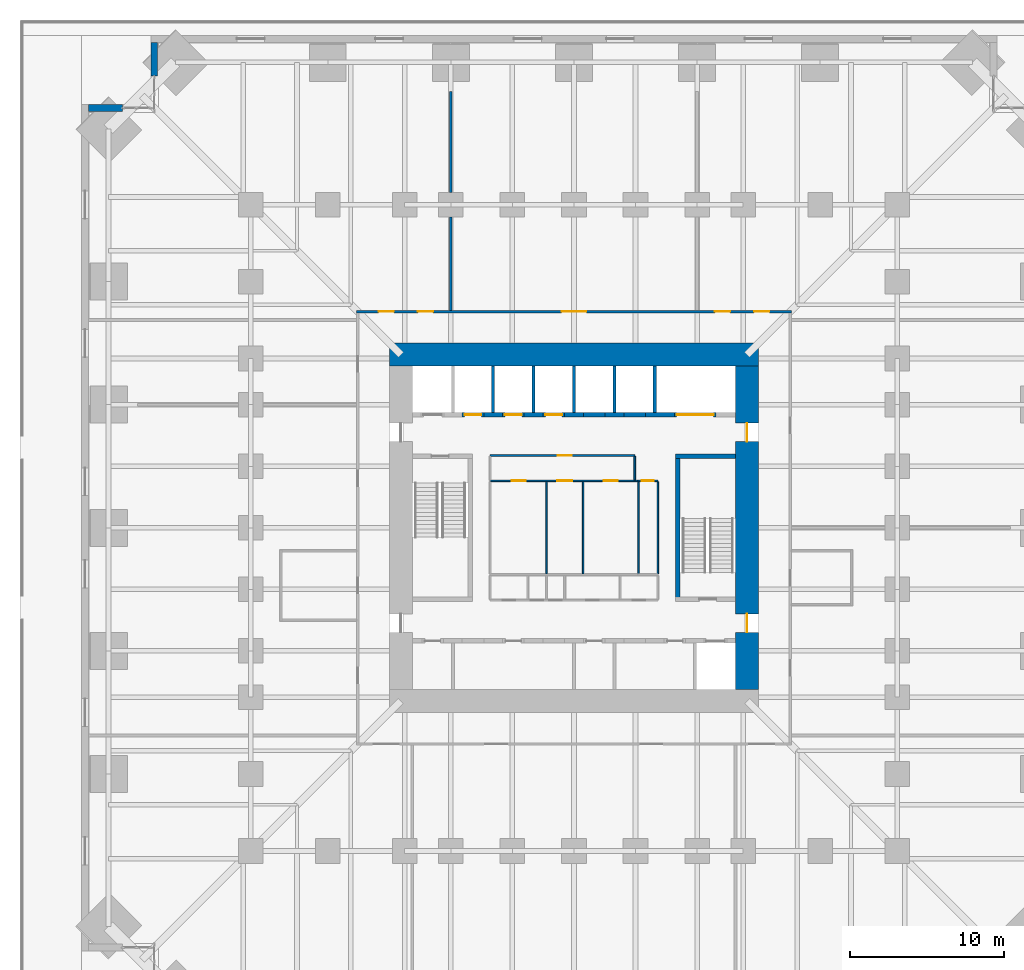
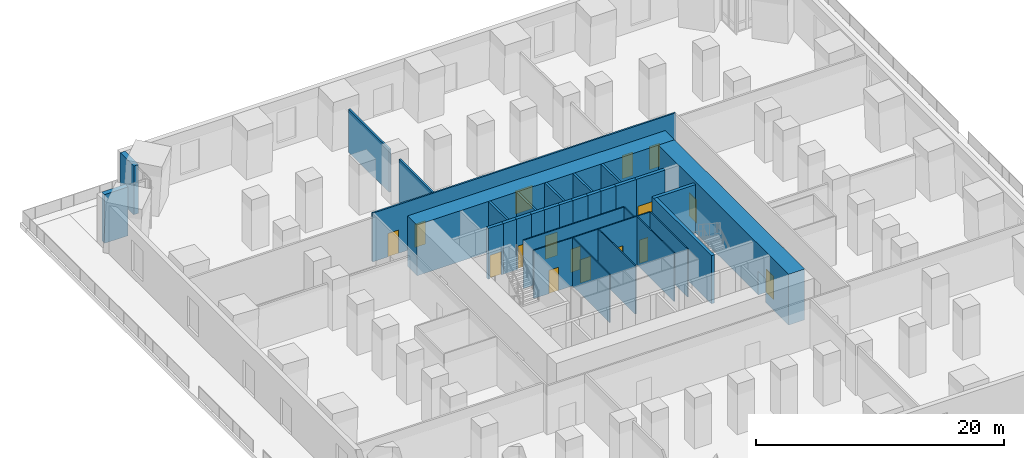
# One storey, part 22 of 26: 33 walls, 16 doors, 16 openings.
"""IFC4 building model written with IfcOpenShell, lengths in metres."""

from ifc_helpers import new_model, si_unit, direction, frame, frame_2d, origin, place, context, subcontext, project, spatial, rectangle, extrude, material, layer, layer_set, type_object, element, fill, save


model = new_model("IFC4")

# Units and contexts
model_context = context("Model", 3, precision=1e-05, world=origin(), true_north=direction((0.0, 1.0)))
body_context = subcontext(model_context, "Body", "Model", "MODEL_VIEW")
ifc_project = project(units=[si_unit("LENGTHUNIT", "METRE"), si_unit("AREAUNIT", "SQUARE_METRE"), si_unit("VOLUMEUNIT", "CUBIC_METRE"), si_unit("PLANEANGLEUNIT", "RADIAN"), si_unit("MASSUNIT", "GRAM", prefix="KILO")], contexts=[model_context])

# Site, building, storey
site_placement = place(None, origin())
site = spatial("IfcSite", under=ifc_project, at=site_placement, CompositionType="ELEMENT")
building_placement = place(site_placement, origin())
building = spatial("IfcBuilding", under=site, at=building_placement, Name="Peilmerk Tower", CompositionType="ELEMENT")
storey_placement = place(building_placement, frame((0.0, 0.0, 16.0)))
storey = spatial("IfcBuildingStorey", under=building, at=storey_placement, Name="L03", CompositionType="ELEMENT", Elevation=16.0)

# Walls
ifc_material_1 = material(Name="Precast concrete C45/55, board-marked finish", Category="concrete")
ifc_layer_1 = layer(ifc_material_1, 0.449951171875)
ifc_layer_set_1 = layer_set([ifc_layer_1], Name="Precast concrete C45/55, board-marked finish")
wall_type_1 = type_object("IfcWallType", Name="EW1 450 precast concrete facade wall, board-marked", PredefinedType="SOLIDWALL", material=ifc_layer_set_1)
for number, where, z_axis, x_axis, name in (
    (1, (-27.27490234375, 29.353759765625, 0.0), (0.0, 0.0, 1.0), (0.0, 1.0, 0.0), "Facade wall NWA L03"),
    (2, (-29.353759765625, 27.27490234375, 0.0), (0.0, 0.0, 1.0), (-1.0, 0.0, 0.0), "Facade wall NWB L03"),
):
    element("IfcWall", number, at=place(storey_placement, frame(where, z_axis=z_axis, x_axis=x_axis)), inside=storey, type_object=wall_type_1, Name=name, PredefinedType="SOLIDWALL", context=body_context, shape_type="SweptSolid", body=[
        extrude(rectangle(XDim=2.1962890625, YDim=0.449951171875, at=frame_2d((1.09814453125, 0.0))), origin(), (0.0, 0.0, 1.0), 4.800048828125),
    ])

# Wall, openings, doors
ifc_material_2 = material(Name="Calcium silicate block", Category="masonry")
ifc_layer_2 = layer(ifc_material_2, 0.14990234375)
ifc_layer_set_2 = layer_set([ifc_layer_2], Name="Calcium silicate block")
wall_type_2 = type_object("IfcWallType", Name="IW1 150 corridor partition, EI 60", PredefinedType="PARTITIONING", material=ifc_layer_set_2)
wall_1_placement = place(storey_placement, frame((-14.125, 14.050048828125, 0.0), z_axis=(0.0, 0.0, 1.0), x_axis=(1.0, 0.0, 0.0)))
wall_1 = element("IfcWall", 3, at=wall_1_placement, inside=storey, type_object=wall_type_2, Name="Corridor wall N L03", PredefinedType="PARTITIONING", context=body_context, shape_type="SweptSolid", body=[
    extrude(rectangle(XDim=28.25, YDim=0.14990234375, at=frame_2d((14.125, 0.0))), origin(), (0.0, 0.0, 1.0), 4.800048828125),
])
opening_1_placement = place(wall_1_placement, frame((1.425048828125, 0.0, 0.0)))
opening_1 = element("IfcOpeningElement", 4, at=opening_1_placement, cuts=wall_1, Name="Opening D1", PredefinedType="OPENING", context=body_context, shape_type="SweptSolid", body=[
    extrude(rectangle(XDim=1.0, YDim=2.300048828125, at=frame_2d((0.5, 1.14990234375))), frame((0.0, 0.0849609375, 0.0), z_axis=(0.0, -1.0, 0.0), x_axis=(1.0, 0.0, 0.0)), (0.0, 0.0, 1.0), 0.169921875),
])
opening_2_placement = place(wall_1_placement, frame((3.97509765625, 0.0, 0.0)))
opening_2 = element("IfcOpeningElement", 5, at=opening_2_placement, cuts=wall_1, Name="Opening D1", PredefinedType="OPENING", context=body_context, shape_type="SweptSolid", body=[
    extrude(rectangle(XDim=1.0, YDim=2.300048828125, at=frame_2d((0.5, 1.14990234375))), frame((0.0, 0.0849609375, 0.0), z_axis=(0.0, -1.0, 0.0), x_axis=(1.0, 0.0, 0.0)), (0.0, 0.0, 1.0), 0.169921875),
])
opening_3_placement = place(wall_1_placement, frame((13.324951171875, 0.0, 0.0)))
opening_3 = element("IfcOpeningElement", 6, at=opening_3_placement, cuts=wall_1, Name="Opening D9", PredefinedType="OPENING", context=body_context, shape_type="SweptSolid", body=[
    extrude(rectangle(XDim=1.60009765625, YDim=2.300048828125, at=frame_2d((0.800048828125, 1.14990234375))), frame((0.0, 0.0849609375, 0.0), z_axis=(0.0, -1.0, 0.0), x_axis=(1.0, 0.0, 0.0)), (0.0, 0.0, 1.0), 0.169921875),
])
opening_4_placement = place(wall_1_placement, frame((23.27490234375, 0.0, 0.0)))
opening_4 = element("IfcOpeningElement", 7, at=opening_4_placement, cuts=wall_1, Name="Opening D1", PredefinedType="OPENING", context=body_context, shape_type="SweptSolid", body=[
    extrude(rectangle(XDim=1.0, YDim=2.300048828125, at=frame_2d((0.5, 1.14990234375))), frame((0.0, 0.0849609375, 0.0), z_axis=(0.0, -1.0, 0.0), x_axis=(1.0, 0.0, 0.0)), (0.0, 0.0, 1.0), 0.169921875),
])
opening_5_placement = place(wall_1_placement, frame((25.824951171875, 0.0, 0.0)))
opening_5 = element("IfcOpeningElement", 8, at=opening_5_placement, cuts=wall_1, Name="Opening D1", PredefinedType="OPENING", context=body_context, shape_type="SweptSolid", body=[
    extrude(rectangle(XDim=1.0, YDim=2.300048828125, at=frame_2d((0.5, 1.14990234375))), frame((0.0, 0.0849609375, 0.0), z_axis=(0.0, -1.0, 0.0), x_axis=(1.0, 0.0, 0.0)), (0.0, 0.0, 1.0), 0.169921875),
])
ifc_material_3 = material(Name="Timber door in steel frame", Category="steel")
door_type_1 = type_object("IfcDoorType", Name="D1 1000x2300 room door, EI2 30", OperationType="SINGLE_SWING_LEFT", PredefinedType="DOOR", material=ifc_material_3)
door_1_placement = place(opening_1_placement, origin())
door_1 = element("IfcDoor", 9, at=door_1_placement, inside=storey, type_object=door_type_1, Name="Door Office L03", OperationType="SINGLE_SWING_LEFT", OverallHeight=2.300048828125, OverallWidth=1.0, PredefinedType="DOOR", context=body_context, shape_type="SweptSolid", body=[
    extrude(rectangle(XDim=1.0, YDim=2.300048828125, at=frame_2d((0.5, 1.14990234375))), frame((0.0, 0.02490234375, 0.0), z_axis=(0.0, -1.0, 0.0), x_axis=(1.0, 0.0, 0.0)), (0.0, 0.0, 1.0), 0.050048828125),
])
fill(opening_1, door_1)
door_2_placement = place(opening_2_placement, origin())
door_2 = element("IfcDoor", 10, at=door_2_placement, inside=storey, type_object=door_type_1, Name="Door Office L03", OperationType="SINGLE_SWING_LEFT", OverallHeight=2.300048828125, OverallWidth=1.0, PredefinedType="DOOR", context=body_context, shape_type="SweptSolid", body=[
    extrude(rectangle(XDim=1.0, YDim=2.300048828125, at=frame_2d((0.5, 1.14990234375))), frame((0.0, 0.02490234375, 0.0), z_axis=(0.0, -1.0, 0.0), x_axis=(1.0, 0.0, 0.0)), (0.0, 0.0, 1.0), 0.050048828125),
])
fill(opening_2, door_2)
door_3_placement = place(opening_4_placement, origin())
door_3 = element("IfcDoor", 11, at=door_3_placement, inside=storey, type_object=door_type_1, Name="Door Office L03", OperationType="SINGLE_SWING_LEFT", OverallHeight=2.300048828125, OverallWidth=1.0, PredefinedType="DOOR", context=body_context, shape_type="SweptSolid", body=[
    extrude(rectangle(XDim=1.0, YDim=2.300048828125, at=frame_2d((0.5, 1.14990234375))), frame((0.0, 0.02490234375, 0.0), z_axis=(0.0, -1.0, 0.0), x_axis=(1.0, 0.0, 0.0)), (0.0, 0.0, 1.0), 0.050048828125),
])
fill(opening_4, door_3)
door_4_placement = place(opening_5_placement, origin())
door_4 = element("IfcDoor", 12, at=door_4_placement, inside=storey, type_object=door_type_1, Name="Door Office L03", OperationType="SINGLE_SWING_LEFT", OverallHeight=2.300048828125, OverallWidth=1.0, PredefinedType="DOOR", context=body_context, shape_type="SweptSolid", body=[
    extrude(rectangle(XDim=1.0, YDim=2.300048828125, at=frame_2d((0.5, 1.14990234375))), frame((0.0, 0.02490234375, 0.0), z_axis=(0.0, -1.0, 0.0), x_axis=(1.0, 0.0, 0.0)), (0.0, 0.0, 1.0), 0.050048828125),
])
fill(opening_5, door_4)
ifc_material_4 = material(Name="Glazed timber door in steel frame", Category="steel")
door_type_2 = type_object("IfcDoorType", Name="D9 1600x2300 glazed double door, EI2 30", OperationType="DOUBLE_DOOR_SINGLE_SWING", PredefinedType="DOOR", material=ifc_material_4)
door_5_placement = place(opening_3_placement, origin())
door_5 = element("IfcDoor", 13, at=door_5_placement, inside=storey, type_object=door_type_2, Name="Door Open workspace L03", OperationType="DOUBLE_DOOR_SINGLE_SWING", OverallHeight=2.300048828125, OverallWidth=1.60009765625, PredefinedType="DOOR", context=body_context, shape_type="SweptSolid", body=[
    extrude(rectangle(XDim=1.60009765625, YDim=2.300048828125, at=frame_2d((0.800048828125, 1.14990234375))), frame((0.0, 0.02490234375, 0.0), z_axis=(0.0, -1.0, 0.0), x_axis=(1.0, 0.0, 0.0)), (0.0, 0.0, 1.0), 0.050048828125),
])
fill(opening_3, door_5)

# Walls
ifc_material_5 = material(Name="Concrete C35/45", Category="concrete")
ifc_layer_3 = layer(ifc_material_5, 0.300048828125)
ifc_layer_set_3 = layer_set([ifc_layer_3], Name="Concrete C35/45")
wall_type_3 = type_object("IfcWallType", Name="IW3 300 concrete stair enclosure wall, EI 120", PredefinedType="SOLIDWALL", material=ifc_layer_set_3)
wall_2_placement = place(storey_placement, frame((6.75, -4.800048828125, 0.0), z_axis=(0.0, 0.0, 1.0), x_axis=(0.0, 1.0, 0.0)))
element("IfcWall", 14, at=wall_2_placement, inside=storey, type_object=wall_type_3, Name="Stair 2 enclosure L03", PredefinedType="SOLIDWALL", context=body_context, shape_type="SweptSolid", body=[
    extrude(rectangle(XDim=9.60009765625, YDim=0.300048828125, at=frame_2d((4.800048828125, 0.0))), origin(), (0.0, 0.0, 1.0), 4.75),
])
wall_3_placement = place(storey_placement, frame((6.60009765625, 4.64990234375, 0.0), z_axis=(0.0, 0.0, 1.0), x_axis=(1.0, 0.0, 0.0)))
element("IfcWall", 15, at=wall_3_placement, inside=storey, type_object=wall_type_3, Name="Stair 2 enclosure L03", PredefinedType="SOLIDWALL", context=body_context, shape_type="SweptSolid", body=[
    extrude(rectangle(XDim=3.89990234375, YDim=0.300048828125, at=frame_2d((1.949951171875, 0.0))), origin(), (0.0, 0.0, 1.0), 4.75),
])

# Wall, openings, doors
ifc_material_6 = material(Name="Plasterboard on steel studs", Category="steel")
ifc_layer_4 = layer(ifc_material_6, 0.10009765625)
ifc_layer_set_4 = layer_set([ifc_layer_4], Name="Plasterboard on steel studs")
wall_type_4 = type_object("IfcWallType", Name="IW4 100 WC partition", PredefinedType="PARTITIONING", material=ifc_layer_set_4)
wall_4_placement = place(storey_placement, frame((-5.449951171875, 3.050048828125, 0.0), z_axis=(0.0, 0.0, 1.0), x_axis=(1.0, 0.0, 0.0)))
wall_4 = element("IfcWall", 16, at=wall_4_placement, inside=storey, type_object=wall_type_4, Name="WC wall L03", PredefinedType="PARTITIONING", context=body_context, shape_type="SweptSolid", body=[
    extrude(rectangle(XDim=9.599853515625, YDim=0.10009765625, at=frame_2d((4.7998046875, 0.0))), origin(), (0.0, 0.0, 1.0), 4.75),
])
opening_6_placement = place(wall_4_placement, frame((1.39990234375, 0.0, 0.0)))
opening_6 = element("IfcOpeningElement", 17, at=opening_6_placement, cuts=wall_4, Name="Opening D5", PredefinedType="OPENING", context=body_context, shape_type="SweptSolid", body=[
    extrude(rectangle(XDim=0.89990234375, YDim=2.300048828125, at=frame_2d((0.449951171875, 1.14990234375))), frame((0.0, 0.06005859375, 0.0), z_axis=(0.0, -1.0, 0.0), x_axis=(1.0, 0.0, 0.0)), (0.0, 0.0, 1.0), 0.1201171875),
])
opening_7_placement = place(wall_4_placement, frame((4.35009765625, 0.0, 0.0)))
opening_7 = element("IfcOpeningElement", 18, at=opening_7_placement, cuts=wall_4, Name="Opening D6", PredefinedType="OPENING", context=body_context, shape_type="SweptSolid", body=[
    extrude(rectangle(XDim=1.0, YDim=2.300048828125, at=frame_2d((0.5, 1.14990234375))), frame((0.0, 0.06005859375, 0.0), z_axis=(0.0, -1.0, 0.0), x_axis=(1.0, 0.0, 0.0)), (0.0, 0.0, 1.0), 0.1201171875),
])
opening_8_placement = place(wall_4_placement, frame((7.39990234375, 0.0, 0.0)))
opening_8 = element("IfcOpeningElement", 19, at=opening_8_placement, cuts=wall_4, Name="Opening D5", PredefinedType="OPENING", context=body_context, shape_type="SweptSolid", body=[
    extrude(rectangle(XDim=0.89990234375, YDim=2.300048828125, at=frame_2d((0.449951171875, 1.14990234375))), frame((0.0, 0.06005859375, 0.0), z_axis=(0.0, -1.0, 0.0), x_axis=(1.0, 0.0, 0.0)), (0.0, 0.0, 1.0), 0.1201171875),
])
door_type_3 = type_object("IfcDoorType", Name="D5 900x2300 WC door", OperationType="SINGLE_SWING_LEFT", PredefinedType="DOOR", material=ifc_material_3)
door_6_placement = place(opening_6_placement, frame((0.89990234375, 0.0, 0.0), z_axis=(0.0, 0.0, 1.0), x_axis=(-1.0, 0.0, 0.0)))
door_6 = element("IfcDoor", 20, at=door_6_placement, inside=storey, type_object=door_type_3, Name="Female toilets door L03", OperationType="SINGLE_SWING_LEFT", OverallHeight=2.300048828125, OverallWidth=0.89990234375, PredefinedType="DOOR", context=body_context, shape_type="SweptSolid", body=[
    extrude(rectangle(XDim=0.89990234375, YDim=2.300048828125, at=frame_2d((0.449951171875, 1.14990234375))), frame((0.0, 0.02490234375, 0.0), z_axis=(0.0, -1.0, 0.0), x_axis=(1.0, 0.0, 0.0)), (0.0, 0.0, 1.0), 0.050048828125),
])
fill(opening_6, door_6)
door_7_placement = place(opening_8_placement, frame((0.89990234375, 0.0, 0.0), z_axis=(0.0, 0.0, 1.0), x_axis=(-1.0, 0.0, 0.0)))
door_7 = element("IfcDoor", 21, at=door_7_placement, inside=storey, type_object=door_type_3, Name="Male toilets door L03", OperationType="SINGLE_SWING_LEFT", OverallHeight=2.300048828125, OverallWidth=0.89990234375, PredefinedType="DOOR", context=body_context, shape_type="SweptSolid", body=[
    extrude(rectangle(XDim=0.89990234375, YDim=2.300048828125, at=frame_2d((0.449951171875, 1.14990234375))), frame((0.0, 0.02490234375, 0.0), z_axis=(0.0, -1.0, 0.0), x_axis=(1.0, 0.0, 0.0)), (0.0, 0.0, 1.0), 0.050048828125),
])
fill(opening_8, door_7)
door_type_4 = type_object("IfcDoorType", Name="D6 1000x2300 accessible WC door", OperationType="SLIDING_TO_LEFT", PredefinedType="DOOR", material=ifc_material_3)
door_8_placement = place(opening_7_placement, frame((1.0, 0.0, 0.0), z_axis=(0.0, 0.0, 1.0), x_axis=(-1.0, 0.0, 0.0)))
door_8 = element("IfcDoor", 22, at=door_8_placement, inside=storey, type_object=door_type_4, Name="Accessible WC door L03", OperationType="SLIDING_TO_LEFT", OverallHeight=2.300048828125, OverallWidth=1.0, PredefinedType="DOOR", context=body_context, shape_type="SweptSolid", body=[
    extrude(rectangle(XDim=1.0, YDim=2.300048828125, at=frame_2d((0.5, 1.14990234375))), frame((0.0, 0.02490234375, 0.0), z_axis=(0.0, -1.0, 0.0), x_axis=(1.0, 0.0, 0.0)), (0.0, 0.0, 1.0), 0.050048828125),
])
fill(opening_7, door_8)

# Walls
for number, where, z_axis, x_axis, name in (
    (23, (-1.800048828125, -3.0, 0.0), (0.0, 0.0, 1.0), (0.0, 1.0, 0.0), "WC wall L03"),
    (24, (0.60009765625, -3.0, 0.0), (0.0, 0.0, 1.0), (0.0, 1.0, 0.0), "WC wall L03"),
):
    element("IfcWall", number, at=place(storey_placement, frame(where, z_axis=z_axis, x_axis=x_axis)), inside=storey, type_object=wall_type_4, Name=name, PredefinedType="PARTITIONING", context=body_context, shape_type="SweptSolid", body=[
        extrude(rectangle(XDim=6.0, YDim=0.10009765625, at=frame_2d((3.0, 0.0))), origin(), (0.0, 0.0, 1.0), 4.75),
    ])

# Wall, opening, door
ifc_material_7 = material(Name="Calcium silicate board on steel studs", Category="steel")
ifc_layer_5 = layer(ifc_material_7, 0.10009765625)
ifc_layer_set_5 = layer_set([ifc_layer_5], Name="Calcium silicate board on steel studs")
wall_type_5 = type_object("IfcWallType", Name="IW5 100 riser enclosure wall, EI 60", PredefinedType="PARTITIONING", material=ifc_layer_set_5)
wall_5_placement = place(storey_placement, frame((4.14990234375, 3.050048828125, 0.0), z_axis=(0.0, 0.0, 1.0), x_axis=(1.0, 0.0, 0.0)))
wall_5 = element("IfcWall", 25, at=wall_5_placement, inside=storey, type_object=wall_type_5, Name="Riser wall L03", PredefinedType="PARTITIONING", context=body_context, shape_type="SweptSolid", body=[
    extrude(rectangle(XDim=1.300048828125, YDim=0.10009765625, at=frame_2d((0.64990234375, 0.0))), origin(), (0.0, 0.0, 1.0), 4.75),
])
opening_9_placement = place(wall_5_placement, frame((0.25, 0.0, 0.0)))
opening_9 = element("IfcOpeningElement", 26, at=opening_9_placement, cuts=wall_5, Name="Opening D7", PredefinedType="OPENING", context=body_context, shape_type="SweptSolid", body=[
    extrude(rectangle(XDim=0.800048828125, YDim=2.300048828125, at=frame_2d((0.39990234375, 1.14990234375))), frame((0.0, 0.06005859375, 0.0), z_axis=(0.0, -1.0, 0.0), x_axis=(1.0, 0.0, 0.0)), (0.0, 0.0, 1.0), 0.1201171875),
])
ifc_material_8 = material(Name="Steel door in steel frame", Category="steel")
door_type_5 = type_object("IfcDoorType", Name="D7 800x2300 riser access door, EI2 60", OperationType="SINGLE_SWING_RIGHT", PredefinedType="DOOR", material=ifc_material_8)
door_9_placement = place(opening_9_placement, frame((0.800048828125, 0.0, 0.0), z_axis=(0.0, 0.0, 1.0), x_axis=(-1.0, 0.0, 0.0)))
door_9 = element("IfcDoor", 27, at=door_9_placement, inside=storey, type_object=door_type_5, Name="Plumbing riser door L03", OperationType="SINGLE_SWING_RIGHT", OverallHeight=2.300048828125, OverallWidth=0.800048828125, PredefinedType="DOOR", context=body_context, shape_type="SweptSolid", body=[
    extrude(rectangle(XDim=0.800048828125, YDim=2.300048828125, at=frame_2d((0.39990234375, 1.14990234375))), frame((0.0, 0.02490234375, 0.0), z_axis=(0.0, -1.0, 0.0), x_axis=(1.0, 0.0, 0.0)), (0.0, 0.0, 1.0), 0.050048828125),
])
fill(opening_9, door_9)

# Walls
for number, where, z_axis, x_axis, name in (
    (28, (5.449951171875, 3.0, 0.0), (0.0, 0.0, 1.0), (0.0, -1.0, 0.0), "Riser wall L03"),
    (29, (4.199951171875, -3.0, 0.0), (0.0, 0.0, 1.0), (0.0, 1.0, 0.0), "Riser wall L03"),
):
    element("IfcWall", number, at=place(storey_placement, frame(where, z_axis=z_axis, x_axis=x_axis)), inside=storey, type_object=wall_type_5, Name=name, PredefinedType="PARTITIONING", context=body_context, shape_type="SweptSolid", body=[
        extrude(rectangle(XDim=6.0, YDim=0.10009765625, at=frame_2d((3.0, 0.0))), origin(), (0.0, 0.0, 1.0), 4.75),
    ])
ifc_layer_6 = layer(ifc_material_2, 0.175048828125)
ifc_layer_set_6 = layer_set([ifc_layer_6], Name="Calcium silicate block")
wall_type_6 = type_object("IfcWallType", Name="IW8 175 tenant separating wall, EI 60", PredefinedType="PARTITIONING", material=ifc_layer_set_6)
wall_6_placement = place(storey_placement, frame((-8.0, 14.125, 0.0), z_axis=(0.0, 0.0, 1.0), x_axis=(0.0, 1.0, 0.0)))
element("IfcWall", 30, at=wall_6_placement, inside=storey, type_object=wall_type_6, Name="Tenant separating wall N1 L03", PredefinedType="PARTITIONING", context=body_context, shape_type="SweptSolid", body=[
    extrude(rectangle(XDim=6.074951171875, YDim=0.175048828125, at=frame_2d((3.03759765625, 0.0))), origin(), (0.0, 0.0, 1.0), 4.23095703125),
])
wall_7_placement = place(storey_placement, frame((-8.0, 21.800048828125, 0.0), z_axis=(0.0, 0.0, 1.0), x_axis=(0.0, 1.0, 0.0)))
element("IfcWall", 31, at=wall_7_placement, inside=storey, type_object=wall_type_6, Name="Tenant separating wall N1b L03", PredefinedType="PARTITIONING", context=body_context, shape_type="SweptSolid", body=[
    extrude(rectangle(XDim=6.552978515625, YDim=0.175048828125, at=frame_2d((3.2763671875, 0.0))), origin(), (0.0, 0.0, 1.0), 4.23095703125),
])

# Wall, opening, door
ifc_material_9 = material(Name="Fire-resisting plasterboard on steel studs", Category="steel")
ifc_layer_7 = layer(ifc_material_9, 0.10009765625)
ifc_layer_set_7 = layer_set([ifc_layer_7], Name="Fire-resisting plasterboard on steel studs")
wall_type_7 = type_object("IfcWallType", Name="IW9 100 WC lobby wall, EI 30", PredefinedType="PARTITIONING", material=ifc_layer_set_7)
wall_8_placement = place(storey_placement, frame((-5.449951171875, 4.699951171875, 0.0), z_axis=(0.0, 0.0, 1.0), x_axis=(1.0, 0.0, 0.0)))
wall_8 = element("IfcWall", 32, at=wall_8_placement, inside=storey, type_object=wall_type_7, Name="WC lobby wall L03", PredefinedType="PARTITIONING", context=body_context, shape_type="SweptSolid", body=[
    extrude(rectangle(XDim=9.39990234375, YDim=0.10009765625, at=frame_2d((4.699951171875, 0.0))), origin(), (0.0, 0.0, 1.0), 4.75),
])
opening_10_placement = place(wall_8_placement, frame((4.39990234375, 0.0, 0.0)))
opening_10 = element("IfcOpeningElement", 33, at=opening_10_placement, cuts=wall_8, Name="Opening D11", PredefinedType="OPENING", context=body_context, shape_type="SweptSolid", body=[
    extrude(rectangle(XDim=0.89990234375, YDim=2.300048828125, at=frame_2d((0.449951171875, 1.14990234375))), frame((0.0, 0.06005859375, 0.0), z_axis=(0.0, -1.0, 0.0), x_axis=(1.0, 0.0, 0.0)), (0.0, 0.0, 1.0), 0.1201171875),
])
door_type_6 = type_object("IfcDoorType", Name="D11 900x2300 WC lobby door, EI2 30", OperationType="SINGLE_SWING_LEFT", PredefinedType="DOOR", material=ifc_material_3)
door_10_placement = place(opening_10_placement, frame((0.89990234375, 0.0, 0.0), z_axis=(0.0, 0.0, 1.0), x_axis=(-1.0, 0.0, 0.0)))
door_10 = element("IfcDoor", 34, at=door_10_placement, inside=storey, type_object=door_type_6, Name="WC lobby door L03", OperationType="SINGLE_SWING_LEFT", OverallHeight=2.300048828125, OverallWidth=0.89990234375, PredefinedType="DOOR", context=body_context, shape_type="SweptSolid", body=[
    extrude(rectangle(XDim=0.89990234375, YDim=2.300048828125, at=frame_2d((0.449951171875, 1.14990234375))), frame((0.0, 0.02490234375, 0.0), z_axis=(0.0, -1.0, 0.0), x_axis=(1.0, 0.0, 0.0)), (0.0, 0.0, 1.0), 0.050048828125),
])
fill(opening_10, door_10)

# Walls
wall_9_placement = place(storey_placement, frame((3.949951171875, 3.10009765625, 0.0), z_axis=(0.0, 0.0, 1.0), x_axis=(0.0, 1.0, 0.0)))
element("IfcWall", 35, at=wall_9_placement, inside=storey, type_object=wall_type_7, Name="WC lobby wall L03", PredefinedType="PARTITIONING", context=body_context, shape_type="SweptSolid", body=[
    extrude(rectangle(XDim=1.5498046875, YDim=0.10009765625, at=frame_2d((0.77490234375, 0.0))), origin(), (0.0, 0.0, 1.0), 4.75),
])
ifc_layer_8 = layer(ifc_material_2, 0.199951171875)
ifc_layer_set_8 = layer_set([ifc_layer_8], Name="Calcium silicate block")
wall_type_8 = type_object("IfcWallType", Name="SH1 200 shaft dividing wall, EI 120", PredefinedType="PARTITIONING", material=ifc_layer_set_8)
for number, where, z_axis, x_axis, name in (
    (36, (-5.25, 7.5, 0.0), (0.0, 0.0, 1.0), (0.0, 1.0, 0.0), "Shaft wall N A1 L03"),
    (37, (-2.625, 7.5, 0.0), (0.0, 0.0, 1.0), (0.0, 1.0, 0.0), "Shaft wall N A2 L03"),
    (38, (0.0, 7.5, 0.0), (0.0, 0.0, 1.0), (0.0, 1.0, 0.0), "Shaft wall N A3 L03"),
    (39, (2.625, 7.5, 0.0), (0.0, 0.0, 1.0), (0.0, 1.0, 0.0), "Shaft wall N S1 L03"),
    (40, (5.25, 7.5, 0.0), (0.0, 0.0, 1.0), (0.0, 1.0, 0.0), "Shaft wall N S2 L03"),
):
    element("IfcWall", number, at=place(storey_placement, frame(where, z_axis=z_axis, x_axis=x_axis)), inside=storey, type_object=wall_type_8, Name=name, PredefinedType="PARTITIONING", context=body_context, shape_type="SweptSolid", body=[
        extrude(rectangle(XDim=3.0, YDim=0.199951171875, at=frame_2d((1.5, 0.0))), origin(), (0.0, 0.0, 1.0), 5.0),
    ])

# Wall, opening, door
ifc_layer_9 = layer(ifc_material_2, 0.300048828125)
ifc_layer_set_9 = layer_set([ifc_layer_9], Name="Calcium silicate block")
wall_type_9 = type_object("IfcWallType", Name="SH2 300 lift landing door panel, EI 120", PredefinedType="PARTITIONING", material=ifc_layer_set_9)
wall_10_placement = place(storey_placement, frame((-7.262451171875, 7.35009765625, 0.0), z_axis=(0.0, 0.0, 1.0), x_axis=(1.0, 0.0, 0.0)))
wall_10 = element("IfcWall", 41, at=wall_10_placement, inside=storey, type_object=wall_type_9, Name="Lift door panel N A1 L03", PredefinedType="PARTITIONING", context=body_context, shape_type="SweptSolid", body=[
    extrude(rectangle(XDim=1.39990234375, YDim=0.300048828125, at=frame_2d((0.699951171875, 0.0))), origin(), (0.0, 0.0, 1.0), 5.0),
])
opening_11_placement = place(wall_10_placement, frame((0.14990234375, 0.0, 0.0)))
opening_11 = element("IfcOpeningElement", 42, at=opening_11_placement, cuts=wall_10, Name="Opening LD1", PredefinedType="OPENING", context=body_context, shape_type="SweptSolid", body=[
    extrude(rectangle(XDim=1.10009765625, YDim=2.300048828125, at=frame_2d((0.550048828125, 1.14990234375))), frame((0.0, 0.159912109375, 0.0), z_axis=(0.0, -1.0, 0.0), x_axis=(1.0, 0.0, 0.0)), (0.0, 0.0, 1.0), 0.320068359375),
])
ifc_material_10 = material(Name="Stainless steel landing door", Category="steel")
door_type_7 = type_object("IfcDoorType", Name="LD1 1100x2300 lift landing door, sliding, EI2 60", OperationType="SLIDING_TO_LEFT", PredefinedType="DOOR", material=ifc_material_10)
door_11_placement = place(opening_11_placement, frame((1.10009765625, 0.0, 0.0), z_axis=(0.0, 0.0, 1.0), x_axis=(-1.0, 0.0, 0.0)))
door_11 = element("IfcDoor", 43, at=door_11_placement, inside=storey, type_object=door_type_7, Name="Lift landing door A1 L03", OperationType="SLIDING_TO_LEFT", OverallHeight=2.300048828125, OverallWidth=1.10009765625, PredefinedType="DOOR", context=body_context, shape_type="SweptSolid", body=[
    extrude(rectangle(XDim=1.10009765625, YDim=2.300048828125, at=frame_2d((0.550048828125, 1.14990234375))), frame((0.0, 0.02490234375, 0.0), z_axis=(0.0, -1.0, 0.0), x_axis=(1.0, 0.0, 0.0)), (0.0, 0.0, 1.0), 0.050048828125),
])
fill(opening_11, door_11)

wall_11_placement = place(storey_placement, frame((-4.637451171875, 7.35009765625, 0.0), z_axis=(0.0, 0.0, 1.0), x_axis=(1.0, 0.0, 0.0)))
wall_11 = element("IfcWall", 44, at=wall_11_placement, inside=storey, type_object=wall_type_9, Name="Lift door panel N A2 L03", PredefinedType="PARTITIONING", context=body_context, shape_type="SweptSolid", body=[
    extrude(rectangle(XDim=1.39990234375, YDim=0.300048828125, at=frame_2d((0.699951171875, 0.0))), origin(), (0.0, 0.0, 1.0), 5.0),
])
opening_12_placement = place(wall_11_placement, frame((0.14990234375, 0.0, 0.0)))
opening_12 = element("IfcOpeningElement", 45, at=opening_12_placement, cuts=wall_11, Name="Opening LD1", PredefinedType="OPENING", context=body_context, shape_type="SweptSolid", body=[
    extrude(rectangle(XDim=1.10009765625, YDim=2.300048828125, at=frame_2d((0.550048828125, 1.14990234375))), frame((0.0, 0.159912109375, 0.0), z_axis=(0.0, -1.0, 0.0), x_axis=(1.0, 0.0, 0.0)), (0.0, 0.0, 1.0), 0.320068359375),
])
door_12_placement = place(opening_12_placement, frame((1.10009765625, 0.0, 0.0), z_axis=(0.0, 0.0, 1.0), x_axis=(-1.0, 0.0, 0.0)))
door_12 = element("IfcDoor", 46, at=door_12_placement, inside=storey, type_object=door_type_7, Name="Lift landing door A2 L03", OperationType="SLIDING_TO_LEFT", OverallHeight=2.300048828125, OverallWidth=1.10009765625, PredefinedType="DOOR", context=body_context, shape_type="SweptSolid", body=[
    extrude(rectangle(XDim=1.10009765625, YDim=2.300048828125, at=frame_2d((0.550048828125, 1.14990234375))), frame((0.0, 0.02490234375, 0.0), z_axis=(0.0, -1.0, 0.0), x_axis=(1.0, 0.0, 0.0)), (0.0, 0.0, 1.0), 0.050048828125),
])
fill(opening_12, door_12)

wall_12_placement = place(storey_placement, frame((-2.012451171875, 7.35009765625, 0.0), z_axis=(0.0, 0.0, 1.0), x_axis=(1.0, 0.0, 0.0)))
wall_12 = element("IfcWall", 47, at=wall_12_placement, inside=storey, type_object=wall_type_9, Name="Lift door panel N A3 L03", PredefinedType="PARTITIONING", context=body_context, shape_type="SweptSolid", body=[
    extrude(rectangle(XDim=1.39990234375, YDim=0.300048828125, at=frame_2d((0.699951171875, 0.0))), origin(), (0.0, 0.0, 1.0), 5.0),
])
opening_13_placement = place(wall_12_placement, frame((0.14990234375, 0.0, 0.0)))
opening_13 = element("IfcOpeningElement", 48, at=opening_13_placement, cuts=wall_12, Name="Opening LD1", PredefinedType="OPENING", context=body_context, shape_type="SweptSolid", body=[
    extrude(rectangle(XDim=1.10009765625, YDim=2.300048828125, at=frame_2d((0.550048828125, 1.14990234375))), frame((0.0, 0.159912109375, 0.0), z_axis=(0.0, -1.0, 0.0), x_axis=(1.0, 0.0, 0.0)), (0.0, 0.0, 1.0), 0.320068359375),
])
door_13_placement = place(opening_13_placement, frame((1.10009765625, 0.0, 0.0), z_axis=(0.0, 0.0, 1.0), x_axis=(-1.0, 0.0, 0.0)))
door_13 = element("IfcDoor", 49, at=door_13_placement, inside=storey, type_object=door_type_7, Name="Lift landing door A3 L03", OperationType="SLIDING_TO_LEFT", OverallHeight=2.300048828125, OverallWidth=1.10009765625, PredefinedType="DOOR", context=body_context, shape_type="SweptSolid", body=[
    extrude(rectangle(XDim=1.10009765625, YDim=2.300048828125, at=frame_2d((0.550048828125, 1.14990234375))), frame((0.0, 0.02490234375, 0.0), z_axis=(0.0, -1.0, 0.0), x_axis=(1.0, 0.0, 0.0)), (0.0, 0.0, 1.0), 0.050048828125),
])
fill(opening_13, door_13)

# Walls
for number, where, z_axis, x_axis, name in (
    (50, (0.612548828125, 7.35009765625, 0.0), (0.0, 0.0, 1.0), (1.0, 0.0, 0.0), "Lift door panel N S1 L03"),
    (51, (3.237548828125, 7.35009765625, 0.0), (0.0, 0.0, 1.0), (1.0, 0.0, 0.0), "Lift door panel N S2 L03"),
):
    element("IfcWall", number, at=place(storey_placement, frame(where, z_axis=z_axis, x_axis=x_axis)), inside=storey, type_object=wall_type_9, Name=name, PredefinedType="PARTITIONING", context=body_context, shape_type="SweptSolid", body=[
        extrude(rectangle(XDim=1.39990234375, YDim=0.300048828125, at=frame_2d((0.699951171875, 0.0))), origin(), (0.0, 0.0, 1.0), 5.0),
    ])

# Wall, opening, door
wall_13_placement = place(storey_placement, frame((6.52490234375, 7.35009765625, 0.0), z_axis=(0.0, 0.0, 1.0), x_axis=(1.0, 0.0, 0.0)))
wall_13 = element("IfcWall", 52, at=wall_13_placement, inside=storey, type_object=wall_type_9, Name="Lift door panel N GL1 L03", PredefinedType="PARTITIONING", context=body_context, shape_type="SweptSolid", body=[
    extrude(rectangle(XDim=2.7001953125, YDim=0.300048828125, at=frame_2d((1.35009765625, 0.0))), origin(), (0.0, 0.0, 1.0), 5.0),
])
opening_14_placement = place(wall_13_placement, frame((0.14990234375, 0.0, 0.0)))
opening_14 = element("IfcOpeningElement", 53, at=opening_14_placement, cuts=wall_13, Name="Opening LD3", PredefinedType="OPENING", context=body_context, shape_type="SweptSolid", body=[
    extrude(rectangle(XDim=2.39990234375, YDim=2.300048828125, at=frame_2d((1.199951171875, 1.14990234375))), frame((0.0, 0.159912109375, 0.0), z_axis=(0.0, -1.0, 0.0), x_axis=(1.0, 0.0, 0.0)), (0.0, 0.0, 1.0), 0.320068359375),
])
door_type_8 = type_object("IfcDoorType", Name="LD3 2400x2300 lift landing door, sliding, EI2 60", OperationType="SLIDING_TO_LEFT", PredefinedType="DOOR", material=ifc_material_10)
door_14_placement = place(opening_14_placement, frame((2.39990234375, 0.0, 0.0), z_axis=(0.0, 0.0, 1.0), x_axis=(-1.0, 0.0, 0.0)))
door_14 = element("IfcDoor", 54, at=door_14_placement, inside=storey, type_object=door_type_8, Name="Lift landing door GL1 L03", OperationType="SLIDING_TO_LEFT", OverallHeight=2.300048828125, OverallWidth=2.39990234375, PredefinedType="DOOR", context=body_context, shape_type="SweptSolid", body=[
    extrude(rectangle(XDim=2.39990234375, YDim=2.300048828125, at=frame_2d((1.199951171875, 1.14990234375))), frame((0.0, 0.02490234375, 0.0), z_axis=(0.0, -1.0, 0.0), x_axis=(1.0, 0.0, 0.0)), (0.0, 0.0, 1.0), 0.050048828125),
])
fill(opening_14, door_14)

# Wall
ifc_material_11 = material(Name="Concrete C55/67", Category="concrete")
ifc_layer_10 = layer(ifc_material_11, 1.5)
ifc_layer_set_10 = layer_set([ifc_layer_10], Name="Concrete C55/67")
wall_type_10 = type_object("IfcWallType", Name="SW1 1500 core wall", PredefinedType="SHEAR", material=ifc_layer_set_10)
wall_14_placement = place(storey_placement, frame((-12.0, 11.25, 0.0), z_axis=(0.0, 0.0, 1.0), x_axis=(1.0, 0.0, 0.0)))
element("IfcWall", 55, at=wall_14_placement, inside=storey, type_object=wall_type_10, Name="Core wall N L03", PredefinedType="SHEAR", context=body_context, shape_type="SweptSolid", body=[
    extrude(rectangle(XDim=24.0, YDim=1.5, at=frame_2d((12.0, 0.0))), origin(), (0.0, 0.0, 1.0), 5.0),
])

# Wall, openings, doors
wall_15_placement = place(storey_placement, frame((11.25, 10.5, 0.0), z_axis=(0.0, 0.0, 1.0), x_axis=(0.0, -1.0, 0.0)))
wall_15 = element("IfcWall", 56, at=wall_15_placement, inside=storey, type_object=wall_type_10, Name="Core wall E L03", PredefinedType="SHEAR", context=body_context, shape_type="SweptSolid", body=[
    extrude(rectangle(XDim=21.0, YDim=1.5, at=frame_2d((10.5, 0.0))), origin(), (0.0, 0.0, 1.0), 5.0),
])
opening_15_placement = place(wall_15_placement, frame((3.699951171875, 0.0, 0.0)))
opening_15 = element("IfcOpeningElement", 57, at=opening_15_placement, cuts=wall_15, Name="Opening D3", PredefinedType="OPENING", context=body_context, shape_type="SweptSolid", body=[
    extrude(rectangle(XDim=1.199951171875, YDim=2.300048828125, at=frame_2d((0.60009765625, 1.14990234375))), frame((0.0, 0.760009765625, 0.0), z_axis=(0.0, -1.0, 0.0), x_axis=(1.0, 0.0, 0.0)), (0.0, 0.0, 1.0), 1.52001953125),
])
opening_16_placement = place(wall_15_placement, frame((16.10009765625, 0.0, 0.0)))
opening_16 = element("IfcOpeningElement", 58, at=opening_16_placement, cuts=wall_15, Name="Opening D3", PredefinedType="OPENING", context=body_context, shape_type="SweptSolid", body=[
    extrude(rectangle(XDim=1.199951171875, YDim=2.300048828125, at=frame_2d((0.60009765625, 1.14990234375))), frame((0.0, 0.760009765625, 0.0), z_axis=(0.0, -1.0, 0.0), x_axis=(1.0, 0.0, 0.0)), (0.0, 0.0, 1.0), 1.52001953125),
])
door_type_9 = type_object("IfcDoorType", Name="D3 1200x2300 core door, EI2 60", OperationType="SINGLE_SWING_LEFT", PredefinedType="DOOR", material=ifc_material_8)
door_15_placement = place(opening_15_placement, frame((1.199951171875, 0.0, 0.0), z_axis=(0.0, 0.0, 1.0), x_axis=(-1.0, 0.0, 0.0)))
door_15 = element("IfcDoor", 59, at=door_15_placement, inside=storey, type_object=door_type_9, Name="Core door L03", OperationType="SINGLE_SWING_LEFT", OverallHeight=2.300048828125, OverallWidth=1.199951171875, PredefinedType="DOOR", context=body_context, shape_type="SweptSolid", body=[
    extrude(rectangle(XDim=1.199951171875, YDim=2.300048828125, at=frame_2d((0.60009765625, 1.14990234375))), frame((0.0, 0.02490234375, 0.0), z_axis=(0.0, -1.0, 0.0), x_axis=(1.0, 0.0, 0.0)), (0.0, 0.0, 1.0), 0.050048828125),
])
fill(opening_15, door_15)
door_16_placement = place(opening_16_placement, frame((1.199951171875, 0.0, 0.0), z_axis=(0.0, 0.0, 1.0), x_axis=(-1.0, 0.0, 0.0)))
door_16 = element("IfcDoor", 60, at=door_16_placement, inside=storey, type_object=door_type_9, Name="Core door L03", OperationType="SINGLE_SWING_LEFT", OverallHeight=2.300048828125, OverallWidth=1.199951171875, PredefinedType="DOOR", context=body_context, shape_type="SweptSolid", body=[
    extrude(rectangle(XDim=1.199951171875, YDim=2.300048828125, at=frame_2d((0.60009765625, 1.14990234375))), frame((0.0, 0.02490234375, 0.0), z_axis=(0.0, -1.0, 0.0), x_axis=(1.0, 0.0, 0.0)), (0.0, 0.0, 1.0), 0.050048828125),
])
fill(opening_16, door_16)

# Walls
ifc_layer_11 = layer(ifc_material_11, 0.300048828125)
ifc_layer_set_11 = layer_set([ifc_layer_11], Name="Concrete C55/67")
wall_type_11 = type_object("IfcWallType", Name="SW2 300 lift bank pier", PredefinedType="SHEAR", material=ifc_layer_set_11)
for number, where, z_axis, x_axis, name in (
    (61, (-5.862548828125, 7.35009765625, 0.0), (0.0, 0.0, 1.0), (1.0, 0.0, 0.0), "Lift bank pier N L03"),
    (62, (-3.237548828125, 7.35009765625, 0.0), (0.0, 0.0, 1.0), (1.0, 0.0, 0.0), "Lift bank pier N L03"),
    (63, (-0.612548828125, 7.35009765625, 0.0), (0.0, 0.0, 1.0), (1.0, 0.0, 0.0), "Lift bank pier N L03"),
    (64, (2.012451171875, 7.35009765625, 0.0), (0.0, 0.0, 1.0), (1.0, 0.0, 0.0), "Lift bank pier N L03"),
):
    element("IfcWall", number, at=place(storey_placement, frame(where, z_axis=z_axis, x_axis=x_axis)), inside=storey, type_object=wall_type_11, Name=name, PredefinedType="SHEAR", context=body_context, shape_type="SweptSolid", body=[
        extrude(rectangle(XDim=1.22509765625, YDim=0.300048828125, at=frame_2d((0.612548828125, 0.0))), origin(), (0.0, 0.0, 1.0), 5.0),
    ])
wall_16_placement = place(storey_placement, frame((4.637451171875, 7.35009765625, 0.0), z_axis=(0.0, 0.0, 1.0), x_axis=(1.0, 0.0, 0.0)))
element("IfcWall", 65, at=wall_16_placement, inside=storey, type_object=wall_type_11, Name="Lift bank pier N L03", PredefinedType="SHEAR", context=body_context, shape_type="SweptSolid", body=[
    extrude(rectangle(XDim=1.887451171875, YDim=0.300048828125, at=frame_2d((0.94384765625, 0.0))), origin(), (0.0, 0.0, 1.0), 5.0),
])

save(model, "model.ifc")
